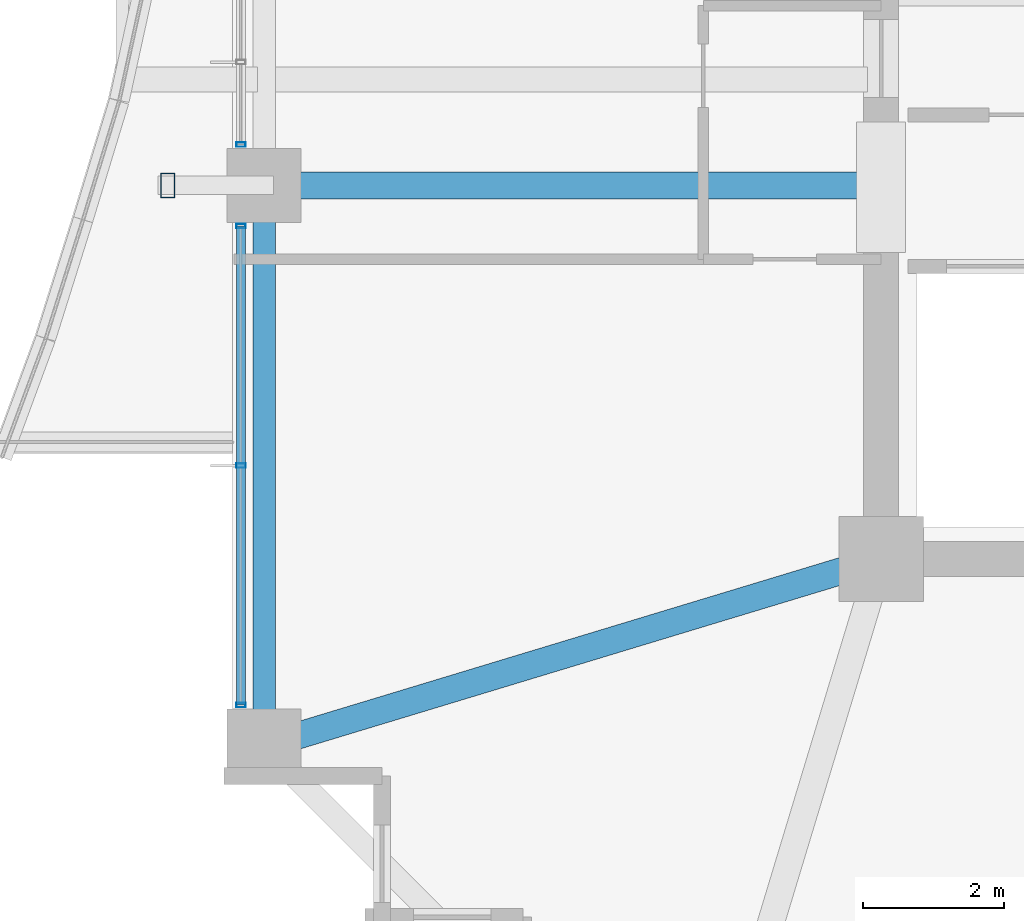
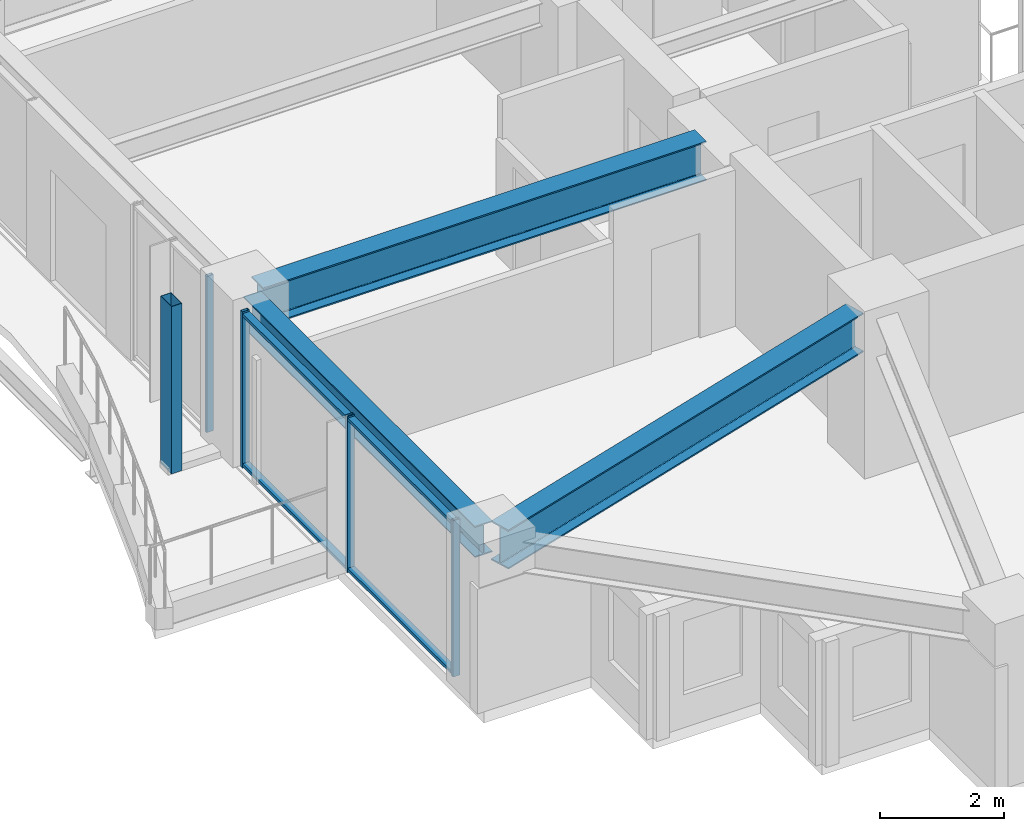
# One storey, part 3 of 35: 7 members, 3 beams, 2 elements without a shape of their own.
"""IFC4 building model written with IfcOpenShell, lengths in metres."""

from ifc_helpers import new_model, si_unit, direction, frame, origin, origin_2d, place, context, subcontext, project, spatial, hollow_rectangle, i_section, extrude, material, material_profile, profile_set, type_object, element, aggregate, save


model = new_model("IFC4")

# Units and contexts
model_context = context("Model", 3, precision=1e-05, world=origin(), true_north=direction((0.0, 1.0)))
body_context = subcontext(model_context, "Body", "Model", "MODEL_VIEW")
ifc_project = project(units=[si_unit("LENGTHUNIT", "METRE"), si_unit("AREAUNIT", "SQUARE_METRE"), si_unit("VOLUMEUNIT", "CUBIC_METRE"), si_unit("PLANEANGLEUNIT", "RADIAN"), si_unit("MASSUNIT", "GRAM", prefix="KILO")], contexts=[model_context])

# Site, building, storey
site_placement = place(None, origin())
site = spatial("IfcSite", under=ifc_project, at=site_placement, CompositionType="ELEMENT")
building_placement = place(site_placement, origin())
building = spatial("IfcBuilding", under=site, at=building_placement, Name="Kolvaren Belvedere", CompositionType="ELEMENT")
storey_placement = place(building_placement, frame((0.0, 0.0, 115.10009765625)))
storey = spatial("IfcBuildingStorey", under=building, at=storey_placement, Name="L33", CompositionType="ELEMENT", Elevation=115.10009765625)

# Beams
ifc_material_1 = material(Name="Structural steel ASTM A992 Grade 50", Category="steel")
ifc_material_profile_1 = material_profile(ifc_material_1, i_section(OverallWidth=0.381103515625, OverallDepth=0.77294921875, WebThickness=0.0166015625, FlangeThickness=0.027099609375, FilletRadius=0.02392578125, at=origin_2d()), Name="W30X173")
ifc_profile_set_1 = profile_set([ifc_material_profile_1], Name="Structural steel ASTM A992 Grade 50")
beam_type_1 = type_object("IfcBeamType", Name="BM-GIRD-W30X173", PredefinedType="BEAM", material=ifc_profile_set_1)
beam_1_placement = place(storey_placement, frame((-10.14990234375, -4.60009765625, 2.693359375), z_axis=(-1.0, 0.0, 0.0), x_axis=(0.0, -1.0, 0.0)))
element("IfcBeam", 1, at=beam_1_placement, inside=storey, type_object=beam_type_1, Name="L33 West Radial Girder M", PredefinedType="BEAM", context=body_context, shape_type="SweptSolid", body=[
    extrude(i_section(OverallWidth=0.381103515625, OverallDepth=0.77294921875, WebThickness=0.0166015625, FlangeThickness=0.027099609375, FilletRadius=0.02392578125, at=origin_2d()), origin(), (0.0, 0.0, 1.0), 8.263916015625),
])
beam_2_placement = place(storey_placement, frame((-10.426513671875, -10.059326171875, 2.693359375), z_axis=(-0.957069465398, -0.289858652454, 0.0), x_axis=(0.289858652454, -0.957069465398, 0.0)))
element("IfcBeam", 2, at=beam_2_placement, inside=storey, type_object=beam_type_1, Name="L33 Corner Core-to-Perimeter Girder CC1-W1", PredefinedType="BEAM", context=body_context, shape_type="SweptSolid", body=[
    extrude(i_section(OverallWidth=0.381103515625, OverallDepth=0.77294921875, WebThickness=0.0166015625, FlangeThickness=0.027099609375, FilletRadius=0.02392578125, at=origin_2d()), origin(), (0.0, 0.0, 1.0), 8.38232421875),
])
ifc_material_2 = material(Name="Structural steel ASTM A992 Grade 50", Category="steel")
ifc_material_profile_2 = material_profile(ifc_material_2, i_section(OverallWidth=0.324951171875, OverallDepth=0.615966796875, WebThickness=0.013916015625, FlangeThickness=0.021484375, FilletRadius=0.02001953125, at=origin_2d()), Name="W24X117")
ifc_profile_set_2 = profile_set([ifc_material_profile_2], Name="Structural steel ASTM A992 Grade 50")
beam_type_2 = type_object("IfcBeamType", Name="BM-SPAN-W24X117", PredefinedType="SPANDREL", material=ifc_profile_set_2)
beam_3_placement = place(storey_placement, frame((-18.64990234375, -4.836181640625, 2.77197265625), z_axis=(0.0, -1.0, 0.0), x_axis=(1.0, 0.0, 0.0)))
element("IfcBeam", 3, at=beam_3_placement, inside=storey, type_object=beam_type_2, Name="L33 Perimeter Spandrel W2-W1", PredefinedType="SPANDREL", context=body_context, shape_type="SweptSolid", body=[
    extrude(i_section(OverallWidth=0.324951171875, OverallDepth=0.615966796875, WebThickness=0.013916015625, FlangeThickness=0.021484375, FilletRadius=0.02001953125, at=origin_2d()), origin(), (0.0, 0.0, 1.0), 7.4775390625),
])

# Curtain wall, members
ifc_material_3 = material(Name="Anodised pale-metal aluminium AA 6063-T6", Category="aluminium")
curtain_wall_type = type_object("IfcCurtainWallType", Name="CW-Z3-WAIST", PredefinedType="NOTDEFINED", material=ifc_material_3)
curtain_wall_1_placement = place(storey_placement, origin())
curtain_wall_1 = element("IfcCurtainWall", 4, at=curtain_wall_1_placement, inside=storey, type_object=curtain_wall_type, Name="L33 Unitised Curtain Wall FCW-L33-W1-B1", PredefinedType="NOTDEFINED")
ifc_material_4 = material(Name="Anodised pale-metal aluminium AA 6063-T6", Category="aluminium")
ifc_material_profile_3 = material_profile(ifc_material_4, hollow_rectangle(XDim=0.06494140625, YDim=0.1298828125, WallThickness=0.00390625, at=origin_2d()), Name="ALU-MUL-130X65")
ifc_profile_set_3 = profile_set([ifc_material_profile_3], Name="Anodised pale-metal aluminium AA 6063-T6")
member_type_1 = type_object("IfcMemberType", Name="CW-MUL-130", PredefinedType="MULLION", material=ifc_profile_set_3)
member_1_placement = place(storey_placement, frame((-18.97998046875, -11.972412109375, 0.0), z_axis=(0.0, 0.0, 1.0), x_axis=(0.0, 1.0, 0.0)))
member_1 = element("IfcMember", 5, at=member_1_placement, type_object=member_type_1, Name="FCW-L33-W1-B1 Unitised Mullion 1", PredefinedType="MULLION", context=body_context, shape_type="SweptSolid", body=[
    extrude(hollow_rectangle(XDim=0.06494140625, YDim=0.1298828125, WallThickness=0.00390625, at=origin_2d()), origin(), (0.0, 0.0, 1.0), 3.079833984375),
])
member_2_placement = place(storey_placement, frame((-18.97998046875, -8.574951171875, 0.0), z_axis=(0.0, 0.0, 1.0), x_axis=(0.0, 1.0, 0.0)))
member_2 = element("IfcMember", 6, at=member_2_placement, type_object=member_type_1, Name="FCW-L33-W1-B1 Unitised Mullion 2", PredefinedType="MULLION", context=body_context, shape_type="SweptSolid", body=[
    extrude(hollow_rectangle(XDim=0.06494140625, YDim=0.1298828125, WallThickness=0.00390625, at=origin_2d()), origin(), (0.0, 0.0, 1.0), 3.079833984375),
])
member_3_placement = place(storey_placement, frame((-18.97998046875, -5.177490234375, 0.0), z_axis=(0.0, 0.0, 1.0), x_axis=(0.0, 1.0, 0.0)))
member_3 = element("IfcMember", 7, at=member_3_placement, type_object=member_type_1, Name="FCW-L33-W1-B1 Unitised Mullion 3", PredefinedType="MULLION", context=body_context, shape_type="SweptSolid", body=[
    extrude(hollow_rectangle(XDim=0.06494140625, YDim=0.1298828125, WallThickness=0.00390625, at=origin_2d()), origin(), (0.0, 0.0, 1.0), 3.079833984375),
])

# Curtain wall, member
curtain_wall_2_placement = place(storey_placement, origin())
curtain_wall_2 = element("IfcCurtainWall", 8, at=curtain_wall_2_placement, inside=storey, type_object=curtain_wall_type, Name="L33 Unitised Curtain Wall FCW-L33-W1-B2", PredefinedType="NOTDEFINED")
member_4_placement = place(storey_placement, frame((-18.97998046875, -4.0224609375, 0.0), z_axis=(0.0, 0.0, 1.0), x_axis=(0.0, 1.0, 0.0)))
member_4 = element("IfcMember", 9, at=member_4_placement, type_object=member_type_1, Name="FCW-L33-W1-B2 Unitised Mullion 1", PredefinedType="MULLION", context=body_context, shape_type="SweptSolid", body=[
    extrude(hollow_rectangle(XDim=0.06494140625, YDim=0.1298828125, WallThickness=0.00390625, at=origin_2d()), origin(), (0.0, 0.0, 1.0), 3.079833984375),
])
aggregate(curtain_wall_2, [member_4])

# Member
ifc_material_5 = material(Name="Anodised pale-metal aluminium AA 6063-T6", Category="aluminium")
ifc_material_profile_4 = material_profile(ifc_material_5, hollow_rectangle(XDim=0.06005859375, YDim=0.1298828125, WallThickness=0.00390625, at=origin_2d()), Name="ALU-TRN-130X60")
ifc_profile_set_4 = profile_set([ifc_material_profile_4], Name="Anodised pale-metal aluminium AA 6063-T6")
member_type_2 = type_object("IfcMemberType", Name="CW-TRN-130", PredefinedType="USERDEFINED", material=ifc_profile_set_4)
member_5_placement = place(storey_placement, frame((-18.97998046875, -11.972412109375, 0.059814453125), z_axis=(0.0, 1.0, 0.0), x_axis=(0.0, 0.0, 1.0)))
member_5 = element("IfcMember", 10, at=member_5_placement, type_object=member_type_2, Name="FCW-L33-W1-B1 Sill Transom", ObjectType="TRANSOM", PredefinedType="USERDEFINED", context=body_context, shape_type="SweptSolid", body=[
    extrude(hollow_rectangle(XDim=0.06005859375, YDim=0.1298828125, WallThickness=0.00390625, at=origin_2d()), origin(), (0.0, 0.0, 1.0), 6.794921875),
])

member_6_placement = place(storey_placement, frame((-18.97998046875, -11.972412109375, 3.02001953125), z_axis=(0.0, 1.0, 0.0), x_axis=(0.0, 0.0, 1.0)))
member_6 = element("IfcMember", 11, at=member_6_placement, type_object=member_type_2, Name="FCW-L33-W1-B1 Head Transom", ObjectType="TRANSOM", PredefinedType="USERDEFINED", context=body_context, shape_type="SweptSolid", body=[
    extrude(hollow_rectangle(XDim=0.06005859375, YDim=0.1298828125, WallThickness=0.00390625, at=origin_2d()), origin(), (0.0, 0.0, 1.0), 6.794921875),
])

aggregate(curtain_wall_1, [member_1, member_2, member_3, member_5, member_6])

ifc_material_6 = material(Name="Anodised pale-metal aluminium AA 6063-T6", Category="aluminium")
ifc_material_profile_5 = material_profile(ifc_material_6, hollow_rectangle(XDim=0.199951171875, YDim=0.35009765625, WallThickness=0.007568359375, at=origin_2d()), Name="ALU-PF-350X200")
ifc_profile_set_5 = profile_set([ifc_material_profile_5], Name="Anodised pale-metal aluminium AA 6063-T6")
member_type_3 = type_object("IfcMemberType", Name="PF-FRAME-350", PredefinedType="USERDEFINED", material=ifc_profile_set_5)
member_7_placement = place(storey_placement, frame((-20.02001953125, -4.60009765625, 0.0), z_axis=(0.0, 0.0, 1.0), x_axis=(1.0, 0.0, 0.0)))
element("IfcMember", 12, at=member_7_placement, inside=storey, type_object=member_type_3, Name="L33 Outboard Picture-Frame Vertical W1", ObjectType="PICTURE FRAME FIN", PredefinedType="USERDEFINED", context=body_context, shape_type="SweptSolid", body=[
    extrude(hollow_rectangle(XDim=0.199951171875, YDim=0.35009765625, WallThickness=0.007568359375, at=origin_2d()), origin(), (0.0, 0.0, 1.0), 3.2998046875),
])

save(model, "model.ifc")
